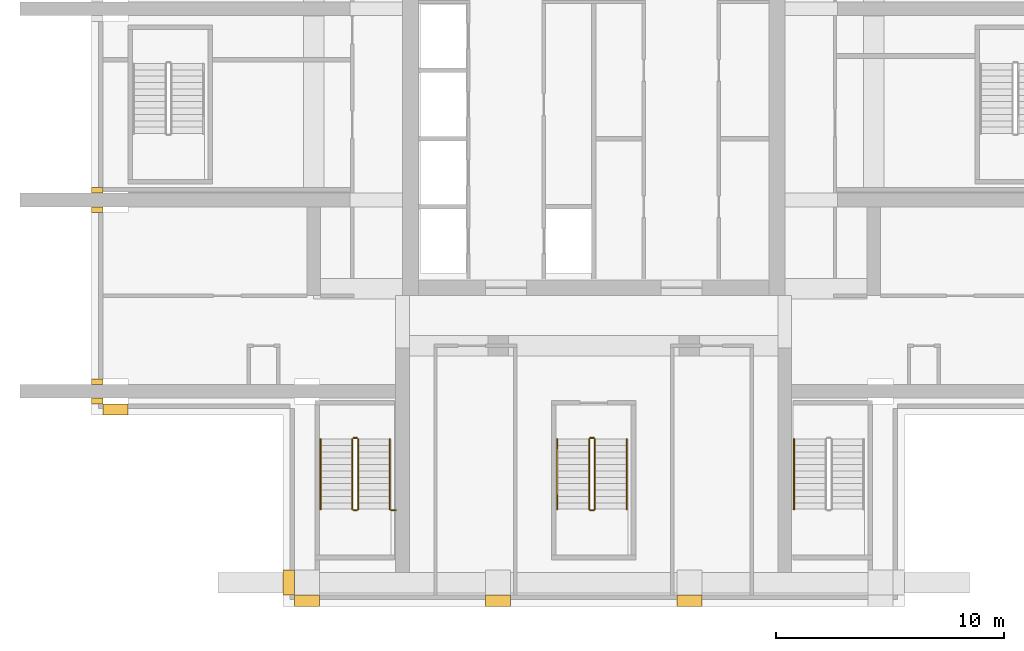
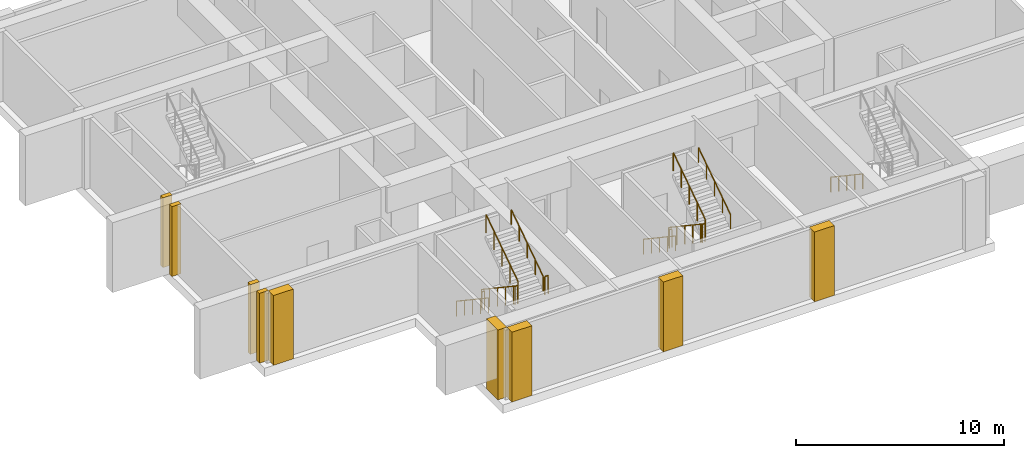
# One storey, part 6 of 10: 12 railings, 9 coverings.
"""IFC4 building model written with IfcOpenShell, lengths in metres."""

from ifc_helpers import new_model, si_unit, direction, frame, origin, origin_2d, place, context, subcontext, project, spatial, polyline, rectangle, outline, extrude, material, type_object, element, save


model = new_model("IFC4")

# Units and contexts
model_context = context("Model", 3, precision=1e-05, world=origin(), true_north=direction((0.0, 1.0)))
body_context = subcontext(model_context, "Body", "Model", "MODEL_VIEW")
ifc_project = project(units=[si_unit("LENGTHUNIT", "METRE"), si_unit("AREAUNIT", "SQUARE_METRE"), si_unit("VOLUMEUNIT", "CUBIC_METRE"), si_unit("PLANEANGLEUNIT", "RADIAN"), si_unit("MASSUNIT", "GRAM", prefix="KILO")], contexts=[model_context])

# Site, building, storey
site_placement = place(None, origin())
site = spatial("IfcSite", under=ifc_project, at=site_placement, CompositionType="ELEMENT")
building_placement = place(site_placement, origin())
building = spatial("IfcBuilding", under=site, at=building_placement, Name="Vermilion Ogive Tower", CompositionType="ELEMENT")
storey_placement = place(building_placement, frame((0.0, 0.0, 171.050048828125)))
storey = spatial("IfcBuildingStorey", under=building, at=storey_placement, Name="L44", CompositionType="ELEMENT", Elevation=171.050048828125)

# Railings
ifc_material_1 = material(Name="Steel S355 painted", Category="steel")
railing_type_1 = type_object("IfcRailingType", Name="Stair guard 1100", PredefinedType="GUARDRAIL", material=ifc_material_1)
railing_1_placement = place(storey_placement, frame((-10.60009765625, -14.699951171875, 0.1875)))
element("IfcRailing", 1, at=railing_1_placement, inside=storey, type_object=railing_type_1, Name="L44 ST3 stair guard 1", PredefinedType="GUARDRAIL", context=body_context, shape_type="SweptSolid", body=[
    extrude(rectangle(XDim=0.048095703125, YDim=0.048095703125, at=origin_2d()), frame((0.0, 0.0, 1.076171875), z_axis=(0.0, -0.830913701846, 0.55640131208), x_axis=(1.0, 0.0, 0.0)), (0.0, 0.0, 1.0), 3.706787109375),
    extrude(rectangle(XDim=0.048095703125, YDim=0.048095703125, at=origin_2d()), frame((0.0, -3.080078125, 3.138671875), z_axis=(0.707106781187, -0.707106781187, 0.0), x_axis=(0.707106781187, 0.707106781187, 0.0)), (0.0, 0.0, 1.0), 0.07080078125),
    extrude(rectangle(XDim=0.048095703125, YDim=0.048095703125, at=origin_2d()), frame((0.050048828125, -3.130126953125, 3.138671875), z_axis=(1.0, 0.0, 0.0), x_axis=(0.0, 1.0, 0.0)), (0.0, 0.0, 1.0), 0.150146484375),
    extrude(rectangle(XDim=0.0419921875, YDim=0.0419921875, at=origin_2d()), origin(), (0.0, 0.0, 1.0), 1.052001953125),
    extrude(rectangle(XDim=0.0419921875, YDim=0.0419921875, at=origin_2d()), frame((0.0, -0.77001953125, 0.515625)), (0.0, 0.0, 1.0), 1.052001953125),
    extrude(rectangle(XDim=0.0419921875, YDim=0.0419921875, at=origin_2d()), frame((0.0, -1.5400390625, 1.03125)), (0.0, 0.0, 1.0), 1.052001953125),
    extrude(rectangle(XDim=0.0419921875, YDim=0.0419921875, at=origin_2d()), frame((0.0, -2.31005859375, 1.546875)), (0.0, 0.0, 1.0), 1.052001953125),
    extrude(rectangle(XDim=0.0419921875, YDim=0.0419921875, at=origin_2d()), frame((0.0, -3.080078125, 2.0625)), (0.0, 0.0, 1.0), 1.052001953125),
    extrude(rectangle(XDim=0.0419921875, YDim=0.0419921875, at=origin_2d()), frame((0.050048828125, -3.130126953125, 2.0625)), (0.0, 0.0, 1.0), 1.052001953125),
    extrude(rectangle(XDim=0.0419921875, YDim=0.0419921875, at=origin_2d()), frame((0.2001953125, -3.130126953125, 2.0625)), (0.0, 0.0, 1.0), 1.052001953125),
])
railing_2_placement = place(storey_placement, frame((-10.35009765625, -17.780029296875, 2.4375)))
element("IfcRailing", 2, at=railing_2_placement, inside=storey, type_object=railing_type_1, Name="L44 ST3 stair guard 3", PredefinedType="GUARDRAIL", context=body_context, shape_type="SweptSolid", body=[
    extrude(rectangle(XDim=0.048095703125, YDim=0.048095703125, at=origin_2d()), frame((0.0, 0.0, 1.076171875), z_axis=(0.0, 0.830913701846, 0.55640131208), x_axis=(-1.0, 0.0, 0.0)), (0.0, 0.0, 1.0), 3.706787109375),
    extrude(rectangle(XDim=0.0419921875, YDim=0.0419921875, at=origin_2d()), origin(), (0.0, 0.0, 1.0), 1.052001953125),
    extrude(rectangle(XDim=0.0419921875, YDim=0.0419921875, at=origin_2d()), frame((0.0, 0.77001953125, 0.515625)), (0.0, 0.0, 1.0), 1.052001953125),
    extrude(rectangle(XDim=0.0419921875, YDim=0.0419921875, at=origin_2d()), frame((0.0, 1.5400390625, 1.03125)), (0.0, 0.0, 1.0), 1.052001953125),
    extrude(rectangle(XDim=0.0419921875, YDim=0.0419921875, at=origin_2d()), frame((0.0, 2.31005859375, 1.546875)), (0.0, 0.0, 1.0), 1.052001953125),
    extrude(rectangle(XDim=0.0419921875, YDim=0.0419921875, at=origin_2d()), frame((0.0, 3.080078125, 2.0625)), (0.0, 0.0, 1.0), 1.052001953125),
])
railing_3_placement = place(storey_placement, frame((-10.550048828125, -14.64990234375, 0.0)))
element("IfcRailing", 3, at=railing_3_placement, inside=storey, type_object=railing_type_1, Name="L44 ST3 stair guard 4", PredefinedType="GUARDRAIL", context=body_context, shape_type="SweptSolid", body=[
    extrude(rectangle(XDim=0.048095703125, YDim=0.048095703125, at=origin_2d()), frame((0.0, 0.0, 1.076171875), z_axis=(1.0, 0.0, 0.0), x_axis=(0.0, 1.0, 0.0)), (0.0, 0.0, 1.0), 0.150146484375),
    extrude(rectangle(XDim=0.0419921875, YDim=0.0419921875, at=origin_2d()), origin(), (0.0, 0.0, 1.0), 1.052001953125),
    extrude(rectangle(XDim=0.0419921875, YDim=0.0419921875, at=origin_2d()), frame((0.150146484375, 0.0, 0.0)), (0.0, 0.0, 1.0), 1.052001953125),
])
railing_4_placement = place(storey_placement, frame((-0.199951171875, -14.699951171875, 0.1875)))
element("IfcRailing", 4, at=railing_4_placement, inside=storey, type_object=railing_type_1, Name="L44 ST4 stair guard 1", PredefinedType="GUARDRAIL", context=body_context, shape_type="SweptSolid", body=[
    extrude(rectangle(XDim=0.048095703125, YDim=0.048095703125, at=origin_2d()), frame((0.0, 0.0, 1.076171875), z_axis=(0.0, -0.830913701846, 0.55640131208), x_axis=(1.0, 0.0, 0.0)), (0.0, 0.0, 1.0), 3.706787109375),
    extrude(rectangle(XDim=0.048095703125, YDim=0.048095703125, at=origin_2d()), frame((0.0, -3.080078125, 3.138671875), z_axis=(0.707106781187, -0.707106781187, 0.0), x_axis=(0.707106781187, 0.707106781187, 0.0)), (0.0, 0.0, 1.0), 0.07080078125),
    extrude(rectangle(XDim=0.048095703125, YDim=0.048095703125, at=origin_2d()), frame((0.050048828125, -3.130126953125, 3.138671875), z_axis=(1.0, 0.0, 0.0), x_axis=(0.0, 1.0, 0.0)), (0.0, 0.0, 1.0), 0.14990234375),
    extrude(rectangle(XDim=0.0419921875, YDim=0.0419921875, at=origin_2d()), origin(), (0.0, 0.0, 1.0), 1.052001953125),
    extrude(rectangle(XDim=0.0419921875, YDim=0.0419921875, at=origin_2d()), frame((0.0, -0.77001953125, 0.515625)), (0.0, 0.0, 1.0), 1.052001953125),
    extrude(rectangle(XDim=0.0419921875, YDim=0.0419921875, at=origin_2d()), frame((0.0, -1.5400390625, 1.03125)), (0.0, 0.0, 1.0), 1.052001953125),
    extrude(rectangle(XDim=0.0419921875, YDim=0.0419921875, at=origin_2d()), frame((0.0, -2.31005859375, 1.546875)), (0.0, 0.0, 1.0), 1.052001953125),
    extrude(rectangle(XDim=0.0419921875, YDim=0.0419921875, at=origin_2d()), frame((0.0, -3.080078125, 2.0625)), (0.0, 0.0, 1.0), 1.052001953125),
    extrude(rectangle(XDim=0.0419921875, YDim=0.0419921875, at=origin_2d()), frame((0.050048828125, -3.130126953125, 2.0625)), (0.0, 0.0, 1.0), 1.052001953125),
    extrude(rectangle(XDim=0.0419921875, YDim=0.0419921875, at=origin_2d()), frame((0.199951171875, -3.130126953125, 2.0625)), (0.0, 0.0, 1.0), 1.052001953125),
])
railing_5_placement = place(storey_placement, frame((0.050048828125, -17.780029296875, 2.4375)))
element("IfcRailing", 5, at=railing_5_placement, inside=storey, type_object=railing_type_1, Name="L44 ST4 stair guard 3", PredefinedType="GUARDRAIL", context=body_context, shape_type="SweptSolid", body=[
    extrude(rectangle(XDim=0.048095703125, YDim=0.048095703125, at=origin_2d()), frame((0.0, 0.0, 1.076171875), z_axis=(0.0, 0.830913701846, 0.55640131208), x_axis=(-1.0, 0.0, 0.0)), (0.0, 0.0, 1.0), 3.706787109375),
    extrude(rectangle(XDim=0.0419921875, YDim=0.0419921875, at=origin_2d()), origin(), (0.0, 0.0, 1.0), 1.052001953125),
    extrude(rectangle(XDim=0.0419921875, YDim=0.0419921875, at=origin_2d()), frame((0.0, 0.77001953125, 0.515625)), (0.0, 0.0, 1.0), 1.052001953125),
    extrude(rectangle(XDim=0.0419921875, YDim=0.0419921875, at=origin_2d()), frame((0.0, 1.5400390625, 1.03125)), (0.0, 0.0, 1.0), 1.052001953125),
    extrude(rectangle(XDim=0.0419921875, YDim=0.0419921875, at=origin_2d()), frame((0.0, 2.31005859375, 1.546875)), (0.0, 0.0, 1.0), 1.052001953125),
    extrude(rectangle(XDim=0.0419921875, YDim=0.0419921875, at=origin_2d()), frame((0.0, 3.080078125, 2.0625)), (0.0, 0.0, 1.0), 1.052001953125),
])
railing_6_placement = place(storey_placement, frame((-0.14990234375, -14.64990234375, 0.0)))
element("IfcRailing", 6, at=railing_6_placement, inside=storey, type_object=railing_type_1, Name="L44 ST4 stair guard 4", PredefinedType="GUARDRAIL", context=body_context, shape_type="SweptSolid", body=[
    extrude(rectangle(XDim=0.048095703125, YDim=0.048095703125, at=origin_2d()), frame((0.0, 0.0, 1.076171875), z_axis=(1.0, 0.0, 0.0), x_axis=(0.0, 1.0, 0.0)), (0.0, 0.0, 1.0), 0.14990234375),
    extrude(rectangle(XDim=0.0419921875, YDim=0.0419921875, at=origin_2d()), origin(), (0.0, 0.0, 1.0), 1.052001953125),
    extrude(rectangle(XDim=0.0419921875, YDim=0.0419921875, at=origin_2d()), frame((0.14990234375, 0.0, 0.0)), (0.0, 0.0, 1.0), 1.052001953125),
])
railing_7_placement = place(storey_placement, frame((-8.89990234375, -17.830078125, 2.25)))
element("IfcRailing", 7, at=railing_7_placement, inside=storey, type_object=railing_type_1, Name="L44 landing guard", PredefinedType="GUARDRAIL", context=body_context, shape_type="SweptSolid", body=[
    extrude(rectangle(XDim=0.048095703125, YDim=0.048095703125, at=origin_2d()), frame((0.0, 0.0, 1.076171875), z_axis=(1.0, 0.0, 0.0), x_axis=(0.0, 1.0, 0.0)), (0.0, 0.0, 1.0), 0.199951171875),
    extrude(rectangle(XDim=0.0419921875, YDim=0.0419921875, at=origin_2d()), origin(), (0.0, 0.0, 1.0), 1.052001953125),
    extrude(rectangle(XDim=0.0419921875, YDim=0.0419921875, at=origin_2d()), frame((0.199951171875, 0.0, 0.0)), (0.0, 0.0, 1.0), 1.052001953125),
])
ifc_material_2 = material(Name="Stainless steel", Category="steel")
railing_type_2 = type_object("IfcRailingType", Name="Stair handrail 900", PredefinedType="HANDRAIL", material=ifc_material_2)
railing_8_placement = place(storey_placement, frame((-12.0, -14.699951171875, 0.1875)))
element("IfcRailing", 8, at=railing_8_placement, inside=storey, type_object=railing_type_2, Name="L44 ST3 stair handrail 1", PredefinedType="HANDRAIL", context=body_context, shape_type="SweptSolid", body=[
    extrude(rectangle(XDim=0.048095703125, YDim=0.048095703125, at=origin_2d()), frame((0.0, 0.0, 0.8759765625), z_axis=(0.0, -0.830913701846, 0.55640131208), x_axis=(1.0, 0.0, 0.0)), (0.0, 0.0, 1.0), 3.706787109375),
    extrude(rectangle(XDim=0.0419921875, YDim=0.0419921875, at=origin_2d()), origin(), (0.0, 0.0, 1.0), 0.851806640625),
    extrude(rectangle(XDim=0.0419921875, YDim=0.0419921875, at=origin_2d()), frame((0.0, -0.77001953125, 0.515625)), (0.0, 0.0, 1.0), 0.851806640625),
    extrude(rectangle(XDim=0.0419921875, YDim=0.0419921875, at=origin_2d()), frame((0.0, -1.5400390625, 1.03125)), (0.0, 0.0, 1.0), 0.851806640625),
    extrude(rectangle(XDim=0.0419921875, YDim=0.0419921875, at=origin_2d()), frame((0.0, -2.31005859375, 1.546875)), (0.0, 0.0, 1.0), 0.851806640625),
    extrude(rectangle(XDim=0.0419921875, YDim=0.0419921875, at=origin_2d()), frame((0.0, -3.080078125, 2.0625)), (0.0, 0.0, 1.0), 0.851806640625),
])
railing_9_placement = place(storey_placement, frame((-8.949951171875, -17.780029296875, 2.4375)))
element("IfcRailing", 9, at=railing_9_placement, inside=storey, type_object=railing_type_2, Name="L44 ST3 stair handrail 2", PredefinedType="HANDRAIL", context=body_context, shape_type="SweptSolid", body=[
    extrude(rectangle(XDim=0.048095703125, YDim=0.048095703125, at=origin_2d()), frame((0.0, 0.0, 0.8759765625), z_axis=(0.0, 0.830913701846, 0.55640131208), x_axis=(-1.0, 0.0, 0.0)), (0.0, 0.0, 1.0), 3.706787109375),
    extrude(rectangle(XDim=0.0419921875, YDim=0.0419921875, at=origin_2d()), origin(), (0.0, 0.0, 1.0), 0.851806640625),
    extrude(rectangle(XDim=0.0419921875, YDim=0.0419921875, at=origin_2d()), frame((0.0, 0.77001953125, 0.515625)), (0.0, 0.0, 1.0), 0.851806640625),
    extrude(rectangle(XDim=0.0419921875, YDim=0.0419921875, at=origin_2d()), frame((0.0, 1.5400390625, 1.03125)), (0.0, 0.0, 1.0), 0.851806640625),
    extrude(rectangle(XDim=0.0419921875, YDim=0.0419921875, at=origin_2d()), frame((0.0, 2.31005859375, 1.546875)), (0.0, 0.0, 1.0), 0.851806640625),
    extrude(rectangle(XDim=0.0419921875, YDim=0.0419921875, at=origin_2d()), frame((0.0, 3.080078125, 2.0625)), (0.0, 0.0, 1.0), 0.851806640625),
])
railing_10_placement = place(storey_placement, frame((-1.60009765625, -14.699951171875, 0.1875)))
element("IfcRailing", 10, at=railing_10_placement, inside=storey, type_object=railing_type_2, Name="L44 ST4 stair handrail 1", PredefinedType="HANDRAIL", context=body_context, shape_type="SweptSolid", body=[
    extrude(rectangle(XDim=0.048095703125, YDim=0.048095703125, at=origin_2d()), frame((0.0, 0.0, 0.8759765625), z_axis=(0.0, -0.830913701846, 0.55640131208), x_axis=(1.0, 0.0, 0.0)), (0.0, 0.0, 1.0), 3.706787109375),
    extrude(rectangle(XDim=0.0419921875, YDim=0.0419921875, at=origin_2d()), origin(), (0.0, 0.0, 1.0), 0.851806640625),
    extrude(rectangle(XDim=0.0419921875, YDim=0.0419921875, at=origin_2d()), frame((0.0, -0.77001953125, 0.515625)), (0.0, 0.0, 1.0), 0.851806640625),
    extrude(rectangle(XDim=0.0419921875, YDim=0.0419921875, at=origin_2d()), frame((0.0, -1.5400390625, 1.03125)), (0.0, 0.0, 1.0), 0.851806640625),
    extrude(rectangle(XDim=0.0419921875, YDim=0.0419921875, at=origin_2d()), frame((0.0, -2.31005859375, 1.546875)), (0.0, 0.0, 1.0), 0.851806640625),
    extrude(rectangle(XDim=0.0419921875, YDim=0.0419921875, at=origin_2d()), frame((0.0, -3.080078125, 2.0625)), (0.0, 0.0, 1.0), 0.851806640625),
])
railing_11_placement = place(storey_placement, frame((1.449951171875, -17.780029296875, 2.4375)))
element("IfcRailing", 11, at=railing_11_placement, inside=storey, type_object=railing_type_2, Name="L44 ST4 stair handrail 2", PredefinedType="HANDRAIL", context=body_context, shape_type="SweptSolid", body=[
    extrude(rectangle(XDim=0.048095703125, YDim=0.048095703125, at=origin_2d()), frame((0.0, 0.0, 0.8759765625), z_axis=(0.0, 0.830913701846, 0.55640131208), x_axis=(-1.0, 0.0, 0.0)), (0.0, 0.0, 1.0), 3.706787109375),
    extrude(rectangle(XDim=0.0419921875, YDim=0.0419921875, at=origin_2d()), origin(), (0.0, 0.0, 1.0), 0.851806640625),
    extrude(rectangle(XDim=0.0419921875, YDim=0.0419921875, at=origin_2d()), frame((0.0, 0.77001953125, 0.515625)), (0.0, 0.0, 1.0), 0.851806640625),
    extrude(rectangle(XDim=0.0419921875, YDim=0.0419921875, at=origin_2d()), frame((0.0, 1.5400390625, 1.03125)), (0.0, 0.0, 1.0), 0.851806640625),
    extrude(rectangle(XDim=0.0419921875, YDim=0.0419921875, at=origin_2d()), frame((0.0, 2.31005859375, 1.546875)), (0.0, 0.0, 1.0), 0.851806640625),
    extrude(rectangle(XDim=0.0419921875, YDim=0.0419921875, at=origin_2d()), frame((0.0, 3.080078125, 2.0625)), (0.0, 0.0, 1.0), 0.851806640625),
])
railing_12_placement = place(storey_placement, frame((8.800048828125, -14.699951171875, 0.1875)))
element("IfcRailing", 12, at=railing_12_placement, inside=storey, type_object=railing_type_2, Name="L44 ST5 stair handrail 1", PredefinedType="HANDRAIL", context=body_context, shape_type="SweptSolid", body=[
    extrude(rectangle(XDim=0.048095703125, YDim=0.048095703125, at=origin_2d()), frame((0.0, 0.0, 0.8759765625), z_axis=(0.0, -0.830913701846, 0.55640131208), x_axis=(1.0, 0.0, 0.0)), (0.0, 0.0, 1.0), 3.706787109375),
    extrude(rectangle(XDim=0.0419921875, YDim=0.0419921875, at=origin_2d()), origin(), (0.0, 0.0, 1.0), 0.851806640625),
    extrude(rectangle(XDim=0.0419921875, YDim=0.0419921875, at=origin_2d()), frame((0.0, -0.77001953125, 0.515625)), (0.0, 0.0, 1.0), 0.851806640625),
    extrude(rectangle(XDim=0.0419921875, YDim=0.0419921875, at=origin_2d()), frame((0.0, -1.5400390625, 1.03125)), (0.0, 0.0, 1.0), 0.851806640625),
    extrude(rectangle(XDim=0.0419921875, YDim=0.0419921875, at=origin_2d()), frame((0.0, -2.31005859375, 1.546875)), (0.0, 0.0, 1.0), 0.851806640625),
    extrude(rectangle(XDim=0.0419921875, YDim=0.0419921875, at=origin_2d()), frame((0.0, -3.080078125, 2.0625)), (0.0, 0.0, 1.0), 0.851806640625),
])

# Coverings
ifc_material_3 = material(Name="Stone cladding", Category="masonry")
covering_type = type_object("IfcCoveringType", Name="Stone pier", PredefinedType="CLADDING", material=ifc_material_3)
covering_1_placement = place(storey_placement, origin())
element("IfcCovering", 13, at=covering_1_placement, inside=storey, type_object=covering_type, Name="Stone pier P+0042-210", PredefinedType="CLADDING", context=body_context, shape_type="SweptSolid", body=[
    extrude(outline(polyline([(4.75, -21.550048828125), (4.75, -22.050048828125), (3.64990234375, -22.050048828125), (3.64990234375, -21.550048828125), (4.75, -21.550048828125), (4.75, -21.550048828125)])), origin(), (0.0, 0.0, 1.0), 4.099853515625),
])
covering_2_placement = place(storey_placement, origin())
element("IfcCovering", 14, at=covering_2_placement, inside=storey, type_object=covering_type, Name="Stone pier P-0042-210", PredefinedType="CLADDING", context=body_context, shape_type="SweptSolid", body=[
    extrude(outline(polyline([(-3.64990234375, -21.550048828125), (-3.64990234375, -22.050048828125), (-4.75, -22.050048828125), (-4.75, -21.550048828125), (-4.75, -21.550048828125), (-3.64990234375, -21.550048828125)])), origin(), (0.0, 0.0, 1.0), 4.099853515625),
])
covering_3_placement = place(storey_placement, origin())
element("IfcCovering", 15, at=covering_3_placement, inside=storey, type_object=covering_type, Name="Stone pier P-0126-210S", PredefinedType="CLADDING", context=body_context, shape_type="SweptSolid", body=[
    extrude(outline(polyline([(-12.050048828125, -22.050048828125), (-13.14990234375, -22.050048828125), (-13.14990234375, -21.550048828125), (-12.050048828125, -21.550048828125), (-12.050048828125, -22.050048828125)])), origin(), (0.0, 0.0, 1.0), 4.099853515625),
])
covering_4_placement = place(storey_placement, origin())
element("IfcCovering", 16, at=covering_4_placement, inside=storey, type_object=covering_type, Name="Stone pier P-0126-210X8", PredefinedType="CLADDING", context=body_context, shape_type="SweptSolid", body=[
    extrude(outline(polyline([(-13.64990234375, -20.449951171875), (-13.14990234375, -20.449951171875), (-13.14990234375, -21.550048828125), (-13.64990234375, -21.550048828125), (-13.64990234375, -20.449951171875)])), origin(), (0.0, 0.0, 1.0), 4.099853515625),
])
covering_5_placement = place(storey_placement, origin())
element("IfcCovering", 17, at=covering_5_placement, inside=storey, type_object=covering_type, Name="Stone pier P-0210-042", PredefinedType="CLADDING", context=body_context, shape_type="SweptSolid", body=[
    extrude(outline(polyline([(-21.550048828125, -4.75), (-22.050048828125, -4.75), (-22.050048828125, -4.5), (-21.550048828125, -4.5), (-21.550048828125, -4.75), (-21.550048828125, -4.75)])), origin(), (0.0, 0.0, 1.0), 4.099853515625),
])
covering_6_placement = place(storey_placement, origin())
element("IfcCovering", 18, at=covering_6_placement, inside=storey, type_object=covering_type, Name="Stone pier P-0210-0421", PredefinedType="CLADDING", context=body_context, shape_type="SweptSolid", body=[
    extrude(outline(polyline([(-22.050048828125, -3.64990234375), (-21.550048828125, -3.64990234375), (-21.550048828125, -3.89990234375), (-22.050048828125, -3.89990234375), (-22.050048828125, -3.64990234375)])), origin(), (0.0, 0.0, 1.0), 4.099853515625),
])
covering_7_placement = place(storey_placement, origin())
element("IfcCovering", 19, at=covering_7_placement, inside=storey, type_object=covering_type, Name="Stone pier P-0210-126W", PredefinedType="CLADDING", context=body_context, shape_type="SweptSolid", body=[
    extrude(outline(polyline([(-22.050048828125, -13.14990234375), (-22.050048828125, -12.89990234375), (-21.550048828125, -12.89990234375), (-21.550048828125, -13.14990234375), (-22.050048828125, -13.14990234375)])), origin(), (0.0, 0.0, 1.0), 4.099853515625),
])
covering_8_placement = place(storey_placement, origin())
element("IfcCovering", 20, at=covering_8_placement, inside=storey, type_object=covering_type, Name="Stone pier P-0210-126W1", PredefinedType="CLADDING", context=body_context, shape_type="SweptSolid", body=[
    extrude(outline(polyline([(-22.050048828125, -12.050048828125), (-21.550048828125, -12.050048828125), (-21.550048828125, -12.300048828125), (-22.050048828125, -12.300048828125), (-22.050048828125, -12.050048828125)])), origin(), (0.0, 0.0, 1.0), 4.099853515625),
])
covering_9_placement = place(storey_placement, origin())
element("IfcCovering", 21, at=covering_9_placement, inside=storey, type_object=covering_type, Name="Stone pier P-0210-126X7", PredefinedType="CLADDING", context=body_context, shape_type="SweptSolid", body=[
    extrude(outline(polyline([(-21.550048828125, -13.64990234375), (-21.550048828125, -13.14990234375), (-20.449951171875, -13.14990234375), (-20.449951171875, -13.64990234375), (-21.550048828125, -13.64990234375)])), origin(), (0.0, 0.0, 1.0), 4.099853515625),
])

save(model, "model.ifc")
